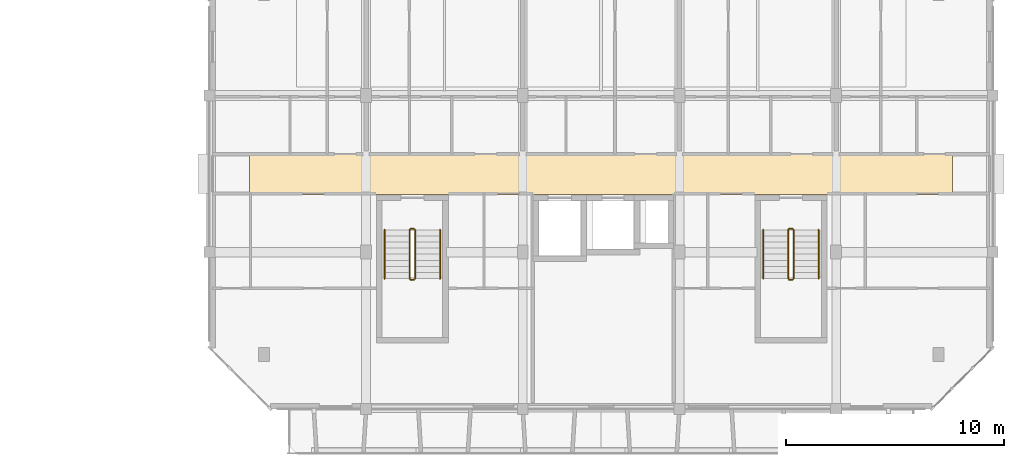
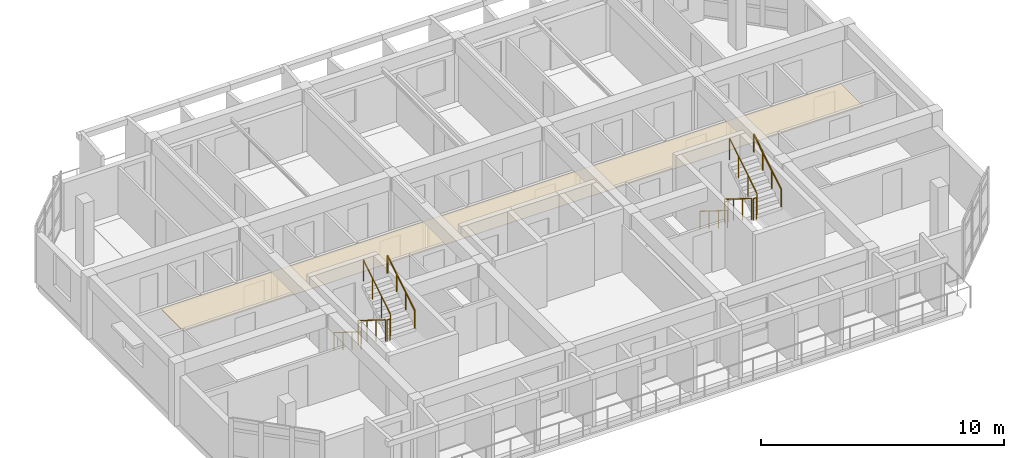
# One storey, part 39 of 40: 12 railings, 1 covering.
"""IFC4 building model written with IfcOpenShell, lengths in metres."""

from ifc_helpers import new_model, si_unit, direction, frame, origin, origin_2d, place, context, subcontext, project, spatial, polyline, circle, outline, extrude, material, layer, layer_set, type_object, element, save


model = new_model("IFC4")

# Units and contexts
model_context = context("Model", 3, precision=1e-05, world=origin(), true_north=direction((0.0, 1.0)))
body_context = subcontext(model_context, "Body", "Model", "MODEL_VIEW")
ifc_project = project(units=[si_unit("LENGTHUNIT", "METRE"), si_unit("AREAUNIT", "SQUARE_METRE"), si_unit("VOLUMEUNIT", "CUBIC_METRE"), si_unit("PLANEANGLEUNIT", "RADIAN"), si_unit("MASSUNIT", "GRAM", prefix="KILO")], contexts=[model_context])

# Site, building, storey
site_placement = place(None, origin())
site = spatial("IfcSite", under=ifc_project, at=site_placement, CompositionType="ELEMENT")
building_placement = place(site_placement, origin())
building = spatial("IfcBuilding", under=site, at=building_placement, Name="Ochrevale Crest", CompositionType="ELEMENT")
storey_placement = place(building_placement, frame((0.0, 0.0, 27.60009765625)))
storey = spatial("IfcBuildingStorey", under=building, at=storey_placement, Name="L08", CompositionType="ELEMENT", Elevation=27.60009765625)

# Covering
ifc_material_1 = material(Name="Gypsum plasterboard", Category="gypsum")
ifc_layer = layer(ifc_material_1, 0.02490234375)
ifc_layer_set = layer_set([ifc_layer], Name="Gypsum plasterboard")
covering_type = type_object("IfcCoveringType", Name="COV-CEIL-GYP", PredefinedType="CEILING", material=ifc_layer_set)
covering_placement = place(storey_placement, frame((0.0, 0.0, 2.27978515625)))
element("IfcCovering", 1, at=covering_placement, inside=storey, type_object=covering_type, Name="Block D L08 acoustic corridor ceiling", PredefinedType="CEILING", context=body_context, shape_type="SweptSolid", body=[
    extrude(outline(polyline([(131.449951171875, 81.860107421875), (163.75, 81.860107421875), (163.75, 83.739990234375), (131.449951171875, 83.739990234375), (131.449951171875, 81.860107421875)])), origin(), (0.0, 0.0, 1.0), 0.025146484375),
])

# Railings
ifc_material_2 = material(Name="Galvanised steel", Category="steel")
railing_type_1 = type_object("IfcRailingType", Name="RL-ST-GUARD", PredefinedType="BALUSTRADE", material=ifc_material_2)
railing_1_placement = place(storey_placement, frame((138.800048828125, 80.22509765625, 0.1748046875)))
element("IfcRailing", 2, at=railing_1_placement, inside=storey, type_object=railing_type_1, Name="L08 ST-D1 stair guard 1", PredefinedType="BALUSTRADE", context=body_context, shape_type="SweptSolid", body=[
    extrude(circle(Radius=0.02392578125, at=origin_2d()), frame((0.0, 0.0, 1.076171875), z_axis=(0.0, -0.847972341737, 0.530040477369), x_axis=(1.0, 0.0, 0.0)), (0.0, 0.0, 1.0), 2.6416015625),
    extrude(circle(Radius=0.02099609375, at=origin_2d()), origin(), (0.0, 0.0, 1.0), 1.052001953125),
    extrude(circle(Radius=0.02099609375, at=origin_2d()), frame((0.0, -0.74658203125, 0.466796875)), (0.0, 0.0, 1.0), 1.052001953125),
    extrude(circle(Radius=0.02099609375, at=origin_2d()), frame((0.0, -1.493408203125, 0.933349609375)), (0.0, 0.0, 1.0), 1.052001953125),
    extrude(circle(Radius=0.02099609375, at=origin_2d()), frame((0.0, -2.239990234375, 1.400146484375)), (0.0, 0.0, 1.0), 1.052001953125),
])
railing_2_placement = place(storey_placement, frame((138.85009765625, 77.93505859375, 1.574951171875)))
element("IfcRailing", 3, at=railing_2_placement, inside=storey, type_object=railing_type_1, Name="L08 ST-D1 stair guard 2", PredefinedType="BALUSTRADE", context=body_context, shape_type="SweptSolid", body=[
    extrude(circle(Radius=0.02392578125, at=origin_2d()), frame((0.0, 0.0, 1.076171875), z_axis=(1.0, 0.0, 0.0), x_axis=(0.0, 1.0, 0.0)), (0.0, 0.0, 1.0), 0.14990234375),
    extrude(circle(Radius=0.02099609375, at=origin_2d()), origin(), (0.0, 0.0, 1.0), 1.052001953125),
    extrude(circle(Radius=0.02099609375, at=origin_2d()), frame((0.14990234375, 0.0, 0.0)), (0.0, 0.0, 1.0), 1.052001953125),
])
railing_3_placement = place(storey_placement, frame((139.050048828125, 77.985107421875, 1.75)))
element("IfcRailing", 4, at=railing_3_placement, inside=storey, type_object=railing_type_1, Name="L08 ST-D1 stair guard 3", PredefinedType="BALUSTRADE", context=body_context, shape_type="SweptSolid", body=[
    extrude(circle(Radius=0.02392578125, at=origin_2d()), frame((0.0, 0.0, 1.076171875), z_axis=(0.0, 0.848013881152, 0.529974015752), x_axis=(-1.0, 0.0, 0.0)), (0.0, 0.0, 1.0), 2.641357421875),
    extrude(circle(Radius=0.02099609375, at=origin_2d()), origin(), (0.0, 0.0, 1.0), 1.052001953125),
    extrude(circle(Radius=0.02099609375, at=origin_2d()), frame((0.0, 0.74658203125, 0.466552734375)), (0.0, 0.0, 1.0), 1.052001953125),
    extrude(circle(Radius=0.02099609375, at=origin_2d()), frame((0.0, 1.493408203125, 0.933349609375)), (0.0, 0.0, 1.0), 1.052001953125),
    extrude(circle(Radius=0.02099609375, at=origin_2d()), frame((0.0, 2.239990234375, 1.39990234375)), (0.0, 0.0, 1.0), 1.052001953125),
])
railing_4_placement = place(storey_placement, frame((138.85009765625, 80.27490234375, 0.0)))
element("IfcRailing", 5, at=railing_4_placement, inside=storey, type_object=railing_type_1, Name="L08 ST-D1 stair guard 4", PredefinedType="BALUSTRADE", context=body_context, shape_type="SweptSolid", body=[
    extrude(circle(Radius=0.02392578125, at=origin_2d()), frame((0.0, 0.0, 1.076171875), z_axis=(1.0, 0.0, 0.0), x_axis=(0.0, 1.0, 0.0)), (0.0, 0.0, 1.0), 0.14990234375),
    extrude(circle(Radius=0.02099609375, at=origin_2d()), origin(), (0.0, 0.0, 1.0), 1.052001953125),
    extrude(circle(Radius=0.02099609375, at=origin_2d()), frame((0.14990234375, 0.0, 0.0)), (0.0, 0.0, 1.0), 1.052001953125),
])
railing_5_placement = place(storey_placement, frame((156.199951171875, 80.22509765625, 0.1748046875)))
element("IfcRailing", 6, at=railing_5_placement, inside=storey, type_object=railing_type_1, Name="L08 ST-D2 stair guard 1", PredefinedType="BALUSTRADE", context=body_context, shape_type="SweptSolid", body=[
    extrude(circle(Radius=0.02392578125, at=origin_2d()), frame((0.0, 0.0, 1.076171875), z_axis=(0.0, -0.847972341737, 0.530040477369), x_axis=(1.0, 0.0, 0.0)), (0.0, 0.0, 1.0), 2.6416015625),
    extrude(circle(Radius=0.02099609375, at=origin_2d()), origin(), (0.0, 0.0, 1.0), 1.052001953125),
    extrude(circle(Radius=0.02099609375, at=origin_2d()), frame((0.0, -0.74658203125, 0.466796875)), (0.0, 0.0, 1.0), 1.052001953125),
    extrude(circle(Radius=0.02099609375, at=origin_2d()), frame((0.0, -1.493408203125, 0.933349609375)), (0.0, 0.0, 1.0), 1.052001953125),
    extrude(circle(Radius=0.02099609375, at=origin_2d()), frame((0.0, -2.239990234375, 1.400146484375)), (0.0, 0.0, 1.0), 1.052001953125),
])
railing_6_placement = place(storey_placement, frame((156.25, 77.93505859375, 1.574951171875)))
element("IfcRailing", 7, at=railing_6_placement, inside=storey, type_object=railing_type_1, Name="L08 ST-D2 stair guard 2", PredefinedType="BALUSTRADE", context=body_context, shape_type="SweptSolid", body=[
    extrude(circle(Radius=0.02392578125, at=origin_2d()), frame((0.0, 0.0, 1.076171875), z_axis=(1.0, 0.0, 0.0), x_axis=(0.0, 1.0, 0.0)), (0.0, 0.0, 1.0), 0.14990234375),
    extrude(circle(Radius=0.02099609375, at=origin_2d()), origin(), (0.0, 0.0, 1.0), 1.052001953125),
    extrude(circle(Radius=0.02099609375, at=origin_2d()), frame((0.14990234375, 0.0, 0.0)), (0.0, 0.0, 1.0), 1.052001953125),
])
railing_7_placement = place(storey_placement, frame((156.449951171875, 77.985107421875, 1.75)))
element("IfcRailing", 8, at=railing_7_placement, inside=storey, type_object=railing_type_1, Name="L08 ST-D2 stair guard 3", PredefinedType="BALUSTRADE", context=body_context, shape_type="SweptSolid", body=[
    extrude(circle(Radius=0.02392578125, at=origin_2d()), frame((0.0, 0.0, 1.076171875), z_axis=(0.0, 0.848013881152, 0.529974015752), x_axis=(-1.0, 0.0, 0.0)), (0.0, 0.0, 1.0), 2.641357421875),
    extrude(circle(Radius=0.02099609375, at=origin_2d()), origin(), (0.0, 0.0, 1.0), 1.052001953125),
    extrude(circle(Radius=0.02099609375, at=origin_2d()), frame((0.0, 0.74658203125, 0.466552734375)), (0.0, 0.0, 1.0), 1.052001953125),
    extrude(circle(Radius=0.02099609375, at=origin_2d()), frame((0.0, 1.493408203125, 0.933349609375)), (0.0, 0.0, 1.0), 1.052001953125),
    extrude(circle(Radius=0.02099609375, at=origin_2d()), frame((0.0, 2.239990234375, 1.39990234375)), (0.0, 0.0, 1.0), 1.052001953125),
])
railing_8_placement = place(storey_placement, frame((156.25, 80.27490234375, 0.0)))
element("IfcRailing", 9, at=railing_8_placement, inside=storey, type_object=railing_type_1, Name="L08 ST-D2 stair guard 4", PredefinedType="BALUSTRADE", context=body_context, shape_type="SweptSolid", body=[
    extrude(circle(Radius=0.02392578125, at=origin_2d()), frame((0.0, 0.0, 1.076171875), z_axis=(1.0, 0.0, 0.0), x_axis=(0.0, 1.0, 0.0)), (0.0, 0.0, 1.0), 0.14990234375),
    extrude(circle(Radius=0.02099609375, at=origin_2d()), origin(), (0.0, 0.0, 1.0), 1.052001953125),
    extrude(circle(Radius=0.02099609375, at=origin_2d()), frame((0.14990234375, 0.0, 0.0)), (0.0, 0.0, 1.0), 1.052001953125),
])
ifc_material_3 = material(Name="Stainless steel", Category="steel")
railing_type_2 = type_object("IfcRailingType", Name="RL-ST-HRAIL", PredefinedType="HANDRAIL", material=ifc_material_3)
railing_9_placement = place(storey_placement, frame((137.64990234375, 80.22509765625, 0.1748046875)))
element("IfcRailing", 10, at=railing_9_placement, inside=storey, type_object=railing_type_2, Name="L08 ST-D1 stair handrail 1", PredefinedType="HANDRAIL", context=body_context, shape_type="SweptSolid", body=[
    extrude(circle(Radius=0.02392578125, at=origin_2d()), frame((0.0, 0.0, 0.8759765625), z_axis=(0.0, -0.847972341737, 0.530040477369), x_axis=(1.0, 0.0, 0.0)), (0.0, 0.0, 1.0), 2.6416015625),
    extrude(circle(Radius=0.02099609375, at=origin_2d()), origin(), (0.0, 0.0, 1.0), 0.851806640625),
    extrude(circle(Radius=0.02099609375, at=origin_2d()), frame((0.0, -0.74658203125, 0.466796875)), (0.0, 0.0, 1.0), 0.851806640625),
    extrude(circle(Radius=0.02099609375, at=origin_2d()), frame((0.0, -1.493408203125, 0.933349609375)), (0.0, 0.0, 1.0), 0.851806640625),
    extrude(circle(Radius=0.02099609375, at=origin_2d()), frame((0.0, -2.239990234375, 1.400146484375)), (0.0, 0.0, 1.0), 0.851806640625),
])
railing_10_placement = place(storey_placement, frame((140.199951171875, 77.985107421875, 1.75)))
element("IfcRailing", 11, at=railing_10_placement, inside=storey, type_object=railing_type_2, Name="L08 ST-D1 stair handrail 2", PredefinedType="HANDRAIL", context=body_context, shape_type="SweptSolid", body=[
    extrude(circle(Radius=0.02392578125, at=origin_2d()), frame((0.0, 0.0, 0.8759765625), z_axis=(0.0, 0.848013881152, 0.529974015752), x_axis=(-1.0, 0.0, 0.0)), (0.0, 0.0, 1.0), 2.641357421875),
    extrude(circle(Radius=0.02099609375, at=origin_2d()), origin(), (0.0, 0.0, 1.0), 0.851806640625),
    extrude(circle(Radius=0.02099609375, at=origin_2d()), frame((0.0, 0.74658203125, 0.466552734375)), (0.0, 0.0, 1.0), 0.851806640625),
    extrude(circle(Radius=0.02099609375, at=origin_2d()), frame((0.0, 1.493408203125, 0.933349609375)), (0.0, 0.0, 1.0), 0.851806640625),
    extrude(circle(Radius=0.02099609375, at=origin_2d()), frame((0.0, 2.239990234375, 1.39990234375)), (0.0, 0.0, 1.0), 0.851806640625),
])
railing_11_placement = place(storey_placement, frame((155.050048828125, 80.22509765625, 0.1748046875)))
element("IfcRailing", 12, at=railing_11_placement, inside=storey, type_object=railing_type_2, Name="L08 ST-D2 stair handrail 1", PredefinedType="HANDRAIL", context=body_context, shape_type="SweptSolid", body=[
    extrude(circle(Radius=0.02392578125, at=origin_2d()), frame((0.0, 0.0, 0.8759765625), z_axis=(0.0, -0.847972341737, 0.530040477369), x_axis=(1.0, 0.0, 0.0)), (0.0, 0.0, 1.0), 2.6416015625),
    extrude(circle(Radius=0.02099609375, at=origin_2d()), origin(), (0.0, 0.0, 1.0), 0.851806640625),
    extrude(circle(Radius=0.02099609375, at=origin_2d()), frame((0.0, -0.74658203125, 0.466796875)), (0.0, 0.0, 1.0), 0.851806640625),
    extrude(circle(Radius=0.02099609375, at=origin_2d()), frame((0.0, -1.493408203125, 0.933349609375)), (0.0, 0.0, 1.0), 0.851806640625),
    extrude(circle(Radius=0.02099609375, at=origin_2d()), frame((0.0, -2.239990234375, 1.400146484375)), (0.0, 0.0, 1.0), 0.851806640625),
])
railing_12_placement = place(storey_placement, frame((157.60009765625, 77.985107421875, 1.75)))
element("IfcRailing", 13, at=railing_12_placement, inside=storey, type_object=railing_type_2, Name="L08 ST-D2 stair handrail 2", PredefinedType="HANDRAIL", context=body_context, shape_type="SweptSolid", body=[
    extrude(circle(Radius=0.02392578125, at=origin_2d()), frame((0.0, 0.0, 0.8759765625), z_axis=(0.0, 0.848013881152, 0.529974015752), x_axis=(-1.0, 0.0, 0.0)), (0.0, 0.0, 1.0), 2.641357421875),
    extrude(circle(Radius=0.02099609375, at=origin_2d()), origin(), (0.0, 0.0, 1.0), 0.851806640625),
    extrude(circle(Radius=0.02099609375, at=origin_2d()), frame((0.0, 0.74658203125, 0.466552734375)), (0.0, 0.0, 1.0), 0.851806640625),
    extrude(circle(Radius=0.02099609375, at=origin_2d()), frame((0.0, 1.493408203125, 0.933349609375)), (0.0, 0.0, 1.0), 0.851806640625),
    extrude(circle(Radius=0.02099609375, at=origin_2d()), frame((0.0, 2.239990234375, 1.39990234375)), (0.0, 0.0, 1.0), 0.851806640625),
])

save(model, "model.ifc")
